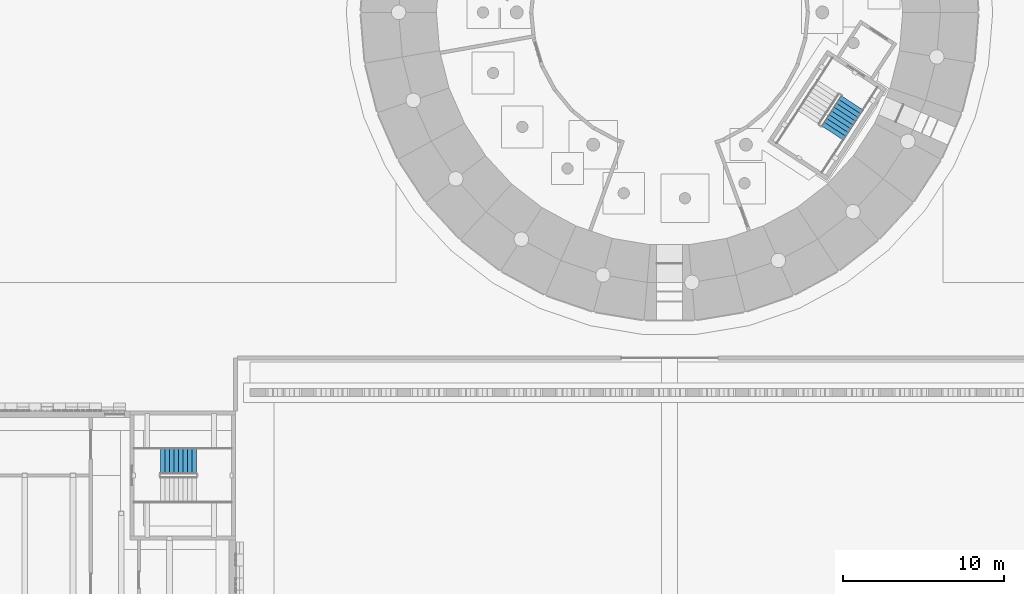
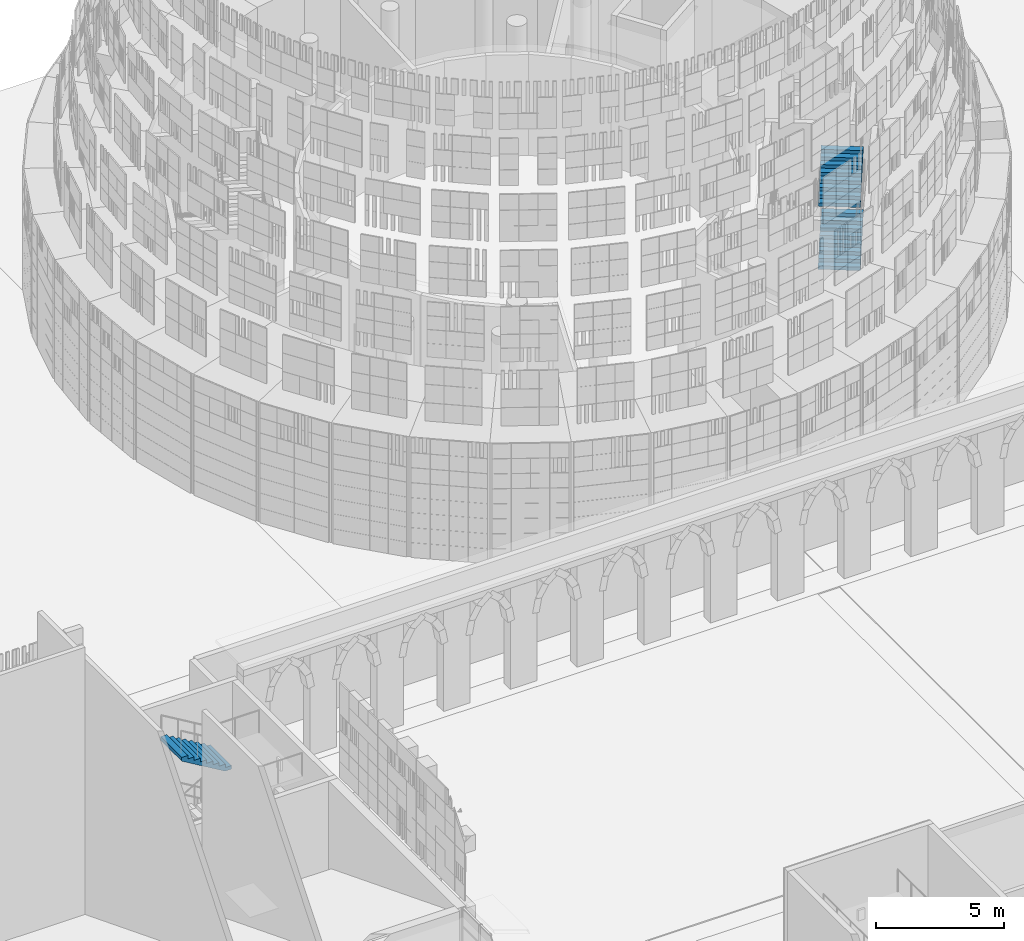
# One storey, part 67 of 125: 3 stair flights, 2 elements without a shape of their own.
"""IFC4 building model written with IfcOpenShell, lengths in metres."""

from ifc_helpers import new_model, si_unit, direction, frame, origin, place, context, subcontext, project, spatial, polyline, outline, extrude, material, type_object, element, aggregate, save


model = new_model("IFC4")

# Units and contexts
model_context = context("Model", 3, precision=1e-05, world=origin(), true_north=direction((0.0, 1.0)))
body_context = subcontext(model_context, "Body", "Model", "MODEL_VIEW")
ifc_project = project(units=[si_unit("LENGTHUNIT", "METRE"), si_unit("AREAUNIT", "SQUARE_METRE"), si_unit("VOLUMEUNIT", "CUBIC_METRE"), si_unit("PLANEANGLEUNIT", "RADIAN"), si_unit("MASSUNIT", "GRAM", prefix="KILO")], contexts=[model_context])

# Site, building, storey
site_placement = place(None, origin())
site = spatial("IfcSite", under=ifc_project, at=site_placement, CompositionType="ELEMENT")
building_placement = place(site_placement, origin())
building = spatial("IfcBuilding", under=site, at=building_placement, Name="Sun Court Science Centre", CompositionType="ELEMENT")
storey_placement = place(building_placement, origin())
storey = spatial("IfcBuildingStorey", under=building, at=storey_placement, Name="L00", CompositionType="ELEMENT", Elevation=0.0)

# Stair, stair flight
ifc_material_1 = material(Name="Concrete C25/30", Category="concrete")
stair_type_1 = type_object("IfcStairType", Name="Stair 1500 enclosed half-turn", PredefinedType="HALF_TURN_STAIR", material=ifc_material_1)
stair_1_placement = place(storey_placement, origin())
stair_1 = element("IfcStair", 1, at=stair_1_placement, inside=storey, type_object=stair_type_1, Name="L00 Stair ST2", PredefinedType="HALF_TURN_STAIR")
ifc_material_2 = material(Name="Concrete C25/30", Category="concrete")
stair_flight_type = type_object("IfcStairFlightType", Name="Stair flight 1500 with waist", PredefinedType="STRAIGHT", material=ifc_material_2)
stair_flight_1_placement = place(storey_placement, frame((21.587890625, 68.89892578125, 4.5), z_axis=(0.0, 0.0, 1.0), x_axis=(-1.0, 0.0, 0.0)))
stair_flight_1 = element("IfcStairFlight", 2, at=stair_flight_1_placement, type_object=stair_flight_type, Name="ST2 flight 4", NumberOfRisers=9, NumberOfTreads=8, PredefinedType="STRAIGHT", RiserHeight=0.166666667, TreadLength=0.28, context=body_context, shape_type="SweptSolid", body=[
    extrude(outline(polyline([(0.0, 0.0), (0.0, 0.00244140625), (0.0, 0.0048828125), (0.0, 0.00732421875), (0.0, 0.009765625), (0.0, 0.01220703125), (0.0, 0.0146484375), (0.0, 0.01708984375), (0.0, 0.01953125), (0.0, 0.02197265625), (0.0, 0.0244140625), (0.0, 0.02685546875), (0.0, 0.029296875), (0.0, 0.03173828125), (0.0, 0.0341796875), (0.0, 0.03662109375), (0.0, 0.0390625), (0.0, 0.04150390625), (0.0, 0.0439453125), (0.0, 0.04638671875), (0.0, 0.048828125), (0.0, 0.05126953125), (0.0, 0.0537109375), (0.0, 0.05615234375), (0.0, 0.05859375), (0.0, 0.06103515625), (0.0, 0.0634765625), (0.0, 0.06591796875), (0.0, 0.068359375), (0.0, 0.07080078125), (0.0, 0.0732421875), (0.0, 0.07568359375), (0.0, 0.078125), (0.0, 0.08056640625), (0.0, 0.0830078125), (0.0, 0.08544921875), (0.0, 0.087890625), (0.0, 0.09033203125), (0.0, 0.0927734375), (0.0, 0.09521484375), (0.0, 0.09765625), (0.0, 0.10009765625), (0.0, 0.1025390625), (0.0, 0.10498046875), (0.0, 0.107421875), (0.0, 0.10986328125), (0.0, 0.1123046875), (0.0, 0.11474609375), (0.0, 0.1171875), (0.0, 0.11962890625), (0.0, 0.1220703125), (0.0, 0.12451171875), (0.0, 0.126953125), (0.0, 0.12939453125), (0.0, 0.1318359375), (0.0, 0.13427734375), (0.0, 0.13671875), (0.0, 0.13916015625), (0.0, 0.1416015625), (0.0, 0.14404296875), (0.0, 0.146484375), (0.0, 0.14892578125), (0.0, 0.1513671875), (0.0, 0.15380859375), (0.0, 0.15625), (0.0, 0.15869140625), (0.0, 0.1611328125), (0.0, 0.16357421875), (0.0, 0.166748046875), (0.280029296875, 0.166748046875), (0.280029296875, 0.333251953125), (0.56005859375, 0.333251953125), (0.56005859375, 0.5), (0.840087890625, 0.5), (0.840087890625, 0.666748046875), (1.1201171875, 0.666748046875), (1.1201171875, 0.833251953125), (1.39990234375, 0.833251953125), (1.39990234375, 1.0), (1.679931640625, 1.0), (1.679931640625, 1.166748046875), (1.9599609375, 1.166748046875), (1.9599609375, 1.333251953125), (2.239990234375, 1.333251953125), (2.239990234375, 1.335693359375), (2.239990234375, 1.338134765625), (2.239990234375, 1.340576171875), (2.239990234375, 1.343017578125), (2.239990234375, 1.345458984375), (2.239990234375, 1.347900390625), (2.239990234375, 1.350341796875), (2.239990234375, 1.352783203125), (2.239990234375, 1.355224609375), (2.239990234375, 1.357666015625), (2.239990234375, 1.360107421875), (2.239990234375, 1.362548828125), (2.239990234375, 1.364990234375), (2.239990234375, 1.367431640625), (2.239990234375, 1.369873046875), (2.239990234375, 1.372314453125), (2.239990234375, 1.374755859375), (2.239990234375, 1.377197265625), (2.239990234375, 1.379638671875), (2.239990234375, 1.382080078125), (2.239990234375, 1.384521484375), (2.239990234375, 1.386962890625), (2.239990234375, 1.389404296875), (2.239990234375, 1.391845703125), (2.239990234375, 1.394287109375), (2.239990234375, 1.396728515625), (2.239990234375, 1.399169921875), (2.239990234375, 1.401611328125), (2.239990234375, 1.404052734375), (2.239990234375, 1.406494140625), (2.239990234375, 1.408935546875), (2.239990234375, 1.411376953125), (2.239990234375, 1.413818359375), (2.239990234375, 1.416259765625), (2.239990234375, 1.418701171875), (2.239990234375, 1.421142578125), (2.239990234375, 1.423583984375), (2.239990234375, 1.426025390625), (2.239990234375, 1.428466796875), (2.239990234375, 1.430908203125), (2.239990234375, 1.433349609375), (2.239990234375, 1.435791015625), (2.239990234375, 1.438232421875), (2.239990234375, 1.440673828125), (2.239990234375, 1.443115234375), (2.239990234375, 1.445556640625), (2.239990234375, 1.447998046875), (2.239990234375, 1.450439453125), (2.239990234375, 1.452880859375), (2.239990234375, 1.455322265625), (2.239990234375, 1.457763671875), (2.239990234375, 1.460205078125), (2.239990234375, 1.462646484375), (2.239990234375, 1.465087890625), (2.239990234375, 1.467529296875), (2.239990234375, 1.469970703125), (2.239990234375, 1.472412109375), (2.239990234375, 1.474853515625), (2.239990234375, 1.477294921875), (2.239990234375, 1.479736328125), (2.239990234375, 1.482177734375), (2.239990234375, 1.484619140625), (2.239990234375, 1.487060546875), (2.239990234375, 1.489501953125), (2.239990234375, 1.491943359375), (2.239990234375, 1.494384765625), (2.239990234375, 1.496826171875), (2.239990234375, 1.5), (2.239990234375, 1.49755859375), (2.239990234375, 1.4951171875), (2.239990234375, 1.49267578125), (2.239990234375, 1.490234375), (2.239990234375, 1.48779296875), (2.239990234375, 1.4853515625), (2.239990234375, 1.48291015625), (2.239990234375, 1.48046875), (2.239990234375, 1.47802734375), (2.239990234375, 1.4755859375), (2.239990234375, 1.47314453125), (2.239990234375, 1.470703125), (2.239990234375, 1.46826171875), (2.239990234375, 1.4658203125), (2.239990234375, 1.46337890625), (2.239990234375, 1.4609375), (2.239990234375, 1.45849609375), (2.239990234375, 1.4560546875), (2.239990234375, 1.45361328125), (2.239990234375, 1.451171875), (2.239990234375, 1.44873046875), (2.239990234375, 1.4462890625), (2.239990234375, 1.44384765625), (2.239990234375, 1.44140625), (2.239990234375, 1.43896484375), (2.239990234375, 1.4365234375), (2.239990234375, 1.43408203125), (2.239990234375, 1.431640625), (2.239990234375, 1.42919921875), (2.239990234375, 1.4267578125), (2.239990234375, 1.42431640625), (2.239990234375, 1.421875), (2.239990234375, 1.41943359375), (2.239990234375, 1.4169921875), (2.239990234375, 1.41455078125), (2.239990234375, 1.412109375), (2.239990234375, 1.40966796875), (2.239990234375, 1.4072265625), (2.239990234375, 1.40478515625), (2.239990234375, 1.40234375), (2.239990234375, 1.39990234375), (2.239990234375, 1.3974609375), (2.239990234375, 1.39501953125), (2.239990234375, 1.392578125), (2.239990234375, 1.39013671875), (2.239990234375, 1.3876953125), (2.239990234375, 1.38525390625), (2.239990234375, 1.3828125), (2.239990234375, 1.38037109375), (2.239990234375, 1.3779296875), (2.239990234375, 1.37548828125), (2.239990234375, 1.373046875), (2.239990234375, 1.37060546875), (2.239990234375, 1.3681640625), (2.239990234375, 1.36572265625), (2.239990234375, 1.36328125), (2.239990234375, 1.36083984375), (2.239990234375, 1.3583984375), (2.239990234375, 1.35595703125), (2.239990234375, 1.353515625), (2.239990234375, 1.35107421875), (2.239990234375, 1.3486328125), (2.239990234375, 1.34619140625), (2.239990234375, 1.34375), (2.239990234375, 1.34130859375), (2.239990234375, 1.3388671875), (2.239990234375, 1.33642578125), (2.239990234375, 1.333984375), (2.239990234375, 1.33154296875), (2.239990234375, 1.3291015625), (2.239990234375, 1.32666015625), (2.239990234375, 1.32421875), (2.239990234375, 1.32177734375), (2.239990234375, 1.3193359375), (2.239990234375, 1.31689453125), (2.239990234375, 1.314453125), (2.239990234375, 1.31201171875), (2.239990234375, 1.3095703125), (2.239990234375, 1.30712890625), (2.239990234375, 1.3046875), (2.239990234375, 1.30224609375), (2.239990234375, 1.2998046875), (2.239990234375, 1.29736328125), (2.239990234375, 1.294921875), (2.239990234375, 1.29248046875), (2.239990234375, 1.2900390625), (2.239990234375, 1.28759765625), (2.239990234375, 1.28515625), (2.239990234375, 1.28271484375), (2.239990234375, 1.2802734375), (2.239990234375, 1.27783203125), (2.239990234375, 1.275390625), (2.239990234375, 1.27294921875), (2.239990234375, 1.2705078125), (2.239990234375, 1.26806640625), (2.239990234375, 1.265625), (2.239990234375, 1.26318359375), (2.239990234375, 1.2607421875), (2.239990234375, 1.25830078125), (2.239990234375, 1.255859375), (2.239990234375, 1.25341796875), (2.239990234375, 1.2509765625), (2.239990234375, 1.24853515625), (2.239990234375, 1.24609375), (2.239990234375, 1.24365234375), (2.239990234375, 1.2412109375), (2.239990234375, 1.23876953125), (2.239990234375, 1.236328125), (2.239990234375, 1.23388671875), (2.239990234375, 1.2314453125), (2.239990234375, 1.22900390625), (2.239990234375, 1.2265625), (2.239990234375, 1.22412109375), (2.239990234375, 1.2216796875), (2.239990234375, 1.21923828125), (2.239990234375, 1.216796875), (2.239990234375, 1.21435546875), (2.239990234375, 1.2119140625), (2.239990234375, 1.20947265625), (2.239990234375, 1.20703125), (2.239990234375, 1.20458984375), (2.239990234375, 1.2021484375), (2.239990234375, 1.19970703125), (2.239990234375, 1.197265625), (2.239990234375, 1.19482421875), (2.239990234375, 1.1923828125), (2.239990234375, 1.18994140625), (2.239990234375, 1.1875), (2.239990234375, 1.18505859375), (2.239990234375, 1.1826171875), (2.239990234375, 1.18017578125), (2.239990234375, 1.177734375), (2.239990234375, 1.17529296875), (2.239990234375, 1.1728515625), (2.239990234375, 1.17041015625), (2.239990234375, 1.16796875), (2.239990234375, 1.16552734375), (2.239990234375, 1.1630859375), (2.239990234375, 1.158935546875), (0.29296875, 0.0), (0.0, 0.0)])), frame((0.0, 0.823974609375, 0.0), z_axis=(0.0, -1.0, 0.0), x_axis=(1.0, 0.0, 0.0)), (0.0, 0.0, 1.0), 1.64794921875),
])
aggregate(stair_1, [stair_flight_1])

# Stair, stair flights
ifc_material_3 = material(Name="Concrete C25/30", Category="concrete")
stair_type_2 = type_object("IfcStairType", Name="Stair 1500 drum half-turn", PredefinedType="HALF_TURN_STAIR", material=ifc_material_3)
stair_2_placement = place(storey_placement, origin())
stair_2 = element("IfcStair", 3, at=stair_2_placement, inside=storey, type_object=stair_type_2, Name="L00 Stair PS1", PredefinedType="HALF_TURN_STAIR")
stair_flight_2_placement = place(storey_placement, frame((61.143798828125, 89.291259765625, 1.5), z_axis=(0.0, 0.0, 1.0), x_axis=(0.546948161968, 0.83716647575, 0.0)))
stair_flight_2 = element("IfcStairFlight", 4, at=stair_flight_2_placement, type_object=stair_flight_type, Name="PS1 flight 2", NumberOfRisers=9, NumberOfTreads=8, PredefinedType="STRAIGHT", RiserHeight=0.166666667, TreadLength=0.28, context=body_context, shape_type="SweptSolid", body=[
    extrude(outline(polyline([(0.0, 0.0), (0.0, 0.00244140625), (0.0, 0.0048828125), (0.0, 0.00732421875), (0.0, 0.009765625), (0.0, 0.01220703125), (0.0, 0.0146484375), (0.0, 0.01708984375), (0.0, 0.01953125), (0.0, 0.02197265625), (0.0, 0.0244140625), (0.0, 0.02685546875), (0.0, 0.029296875), (0.0, 0.03173828125), (0.0, 0.0341796875), (0.0, 0.03662109375), (0.0, 0.0390625), (0.0, 0.04150390625), (0.0, 0.0439453125), (0.0, 0.04638671875), (0.0, 0.048828125), (0.0, 0.05126953125), (0.0, 0.0537109375), (0.0, 0.05615234375), (0.0, 0.05859375), (0.0, 0.06103515625), (0.0, 0.0634765625), (0.0, 0.06591796875), (0.0, 0.068359375), (0.0, 0.07080078125), (0.0, 0.0732421875), (0.0, 0.07568359375), (0.0, 0.078125), (0.0, 0.08056640625), (0.0, 0.0830078125), (0.0, 0.08544921875), (0.0, 0.087890625), (0.0, 0.09033203125), (0.0, 0.0927734375), (0.0, 0.09521484375), (0.0, 0.09765625), (0.0, 0.10009765625), (0.0, 0.1025390625), (0.0, 0.10498046875), (0.0, 0.107421875), (0.0, 0.10986328125), (0.0, 0.1123046875), (0.0, 0.11474609375), (0.0, 0.1171875), (0.0, 0.11962890625), (0.0, 0.1220703125), (0.0, 0.12451171875), (0.0, 0.126953125), (0.0, 0.12939453125), (0.0, 0.1318359375), (0.0, 0.13427734375), (0.0, 0.13671875), (0.0, 0.13916015625), (0.0, 0.1416015625), (0.0, 0.14404296875), (0.0, 0.146484375), (0.0, 0.14892578125), (0.0, 0.1513671875), (0.0, 0.15380859375), (0.0, 0.15625), (0.0, 0.15869140625), (0.0, 0.1611328125), (0.0, 0.16357421875), (0.0, 0.166748046875), (0.280029296875, 0.166748046875), (0.280029296875, 0.333251953125), (0.56005859375, 0.333251953125), (0.56005859375, 0.5), (0.840087890625, 0.5), (0.840087890625, 0.666748046875), (1.1201171875, 0.666748046875), (1.1201171875, 0.833251953125), (1.39990234375, 0.833251953125), (1.39990234375, 1.0), (1.679931640625, 1.0), (1.679931640625, 1.166748046875), (1.9599609375, 1.166748046875), (1.9599609375, 1.333251953125), (2.239990234375, 1.333251953125), (2.239990234375, 1.335693359375), (2.239990234375, 1.338134765625), (2.239990234375, 1.340576171875), (2.239990234375, 1.343017578125), (2.239990234375, 1.345458984375), (2.239990234375, 1.347900390625), (2.239990234375, 1.350341796875), (2.239990234375, 1.352783203125), (2.239990234375, 1.355224609375), (2.239990234375, 1.357666015625), (2.239990234375, 1.360107421875), (2.239990234375, 1.362548828125), (2.239990234375, 1.364990234375), (2.239990234375, 1.367431640625), (2.239990234375, 1.369873046875), (2.239990234375, 1.372314453125), (2.239990234375, 1.374755859375), (2.239990234375, 1.377197265625), (2.239990234375, 1.379638671875), (2.239990234375, 1.382080078125), (2.239990234375, 1.384521484375), (2.239990234375, 1.386962890625), (2.239990234375, 1.389404296875), (2.239990234375, 1.391845703125), (2.239990234375, 1.394287109375), (2.239990234375, 1.396728515625), (2.239990234375, 1.399169921875), (2.239990234375, 1.401611328125), (2.239990234375, 1.404052734375), (2.239990234375, 1.406494140625), (2.239990234375, 1.408935546875), (2.239990234375, 1.411376953125), (2.239990234375, 1.413818359375), (2.239990234375, 1.416259765625), (2.239990234375, 1.418701171875), (2.239990234375, 1.421142578125), (2.239990234375, 1.423583984375), (2.239990234375, 1.426025390625), (2.239990234375, 1.428466796875), (2.239990234375, 1.430908203125), (2.239990234375, 1.433349609375), (2.239990234375, 1.435791015625), (2.239990234375, 1.438232421875), (2.239990234375, 1.440673828125), (2.239990234375, 1.443115234375), (2.239990234375, 1.445556640625), (2.239990234375, 1.447998046875), (2.239990234375, 1.450439453125), (2.239990234375, 1.452880859375), (2.239990234375, 1.455322265625), (2.239990234375, 1.457763671875), (2.239990234375, 1.460205078125), (2.239990234375, 1.462646484375), (2.239990234375, 1.465087890625), (2.239990234375, 1.467529296875), (2.239990234375, 1.469970703125), (2.239990234375, 1.472412109375), (2.239990234375, 1.474853515625), (2.239990234375, 1.477294921875), (2.239990234375, 1.479736328125), (2.239990234375, 1.482177734375), (2.239990234375, 1.484619140625), (2.239990234375, 1.487060546875), (2.239990234375, 1.489501953125), (2.239990234375, 1.491943359375), (2.239990234375, 1.494384765625), (2.239990234375, 1.496826171875), (2.239990234375, 1.5), (2.239990234375, 1.49755859375), (2.239990234375, 1.4951171875), (2.239990234375, 1.49267578125), (2.239990234375, 1.490234375), (2.239990234375, 1.48779296875), (2.239990234375, 1.4853515625), (2.239990234375, 1.48291015625), (2.239990234375, 1.48046875), (2.239990234375, 1.47802734375), (2.239990234375, 1.4755859375), (2.239990234375, 1.47314453125), (2.239990234375, 1.470703125), (2.239990234375, 1.46826171875), (2.239990234375, 1.4658203125), (2.239990234375, 1.46337890625), (2.239990234375, 1.4609375), (2.239990234375, 1.45849609375), (2.239990234375, 1.4560546875), (2.239990234375, 1.45361328125), (2.239990234375, 1.451171875), (2.239990234375, 1.44873046875), (2.239990234375, 1.4462890625), (2.239990234375, 1.44384765625), (2.239990234375, 1.44140625), (2.239990234375, 1.43896484375), (2.239990234375, 1.4365234375), (2.239990234375, 1.43408203125), (2.239990234375, 1.431640625), (2.239990234375, 1.42919921875), (2.239990234375, 1.4267578125), (2.239990234375, 1.42431640625), (2.239990234375, 1.421875), (2.239990234375, 1.41943359375), (2.239990234375, 1.4169921875), (2.239990234375, 1.41455078125), (2.239990234375, 1.412109375), (2.239990234375, 1.40966796875), (2.239990234375, 1.4072265625), (2.239990234375, 1.40478515625), (2.239990234375, 1.40234375), (2.239990234375, 1.39990234375), (2.239990234375, 1.3974609375), (2.239990234375, 1.39501953125), (2.239990234375, 1.392578125), (2.239990234375, 1.39013671875), (2.239990234375, 1.3876953125), (2.239990234375, 1.38525390625), (2.239990234375, 1.3828125), (2.239990234375, 1.38037109375), (2.239990234375, 1.3779296875), (2.239990234375, 1.37548828125), (2.239990234375, 1.373046875), (2.239990234375, 1.37060546875), (2.239990234375, 1.3681640625), (2.239990234375, 1.36572265625), (2.239990234375, 1.36328125), (2.239990234375, 1.36083984375), (2.239990234375, 1.3583984375), (2.239990234375, 1.35595703125), (2.239990234375, 1.353515625), (2.239990234375, 1.35107421875), (2.239990234375, 1.3486328125), (2.239990234375, 1.34619140625), (2.239990234375, 1.34375), (2.239990234375, 1.34130859375), (2.239990234375, 1.3388671875), (2.239990234375, 1.33642578125), (2.239990234375, 1.333984375), (2.239990234375, 1.33154296875), (2.239990234375, 1.3291015625), (2.239990234375, 1.32666015625), (2.239990234375, 1.32421875), (2.239990234375, 1.32177734375), (2.239990234375, 1.3193359375), (2.239990234375, 1.31689453125), (2.239990234375, 1.314453125), (2.239990234375, 1.31201171875), (2.239990234375, 1.3095703125), (2.239990234375, 1.30712890625), (2.239990234375, 1.3046875), (2.239990234375, 1.30224609375), (2.239990234375, 1.2998046875), (2.239990234375, 1.29736328125), (2.239990234375, 1.294921875), (2.239990234375, 1.29248046875), (2.239990234375, 1.2900390625), (2.239990234375, 1.28759765625), (2.239990234375, 1.28515625), (2.239990234375, 1.28271484375), (2.239990234375, 1.2802734375), (2.239990234375, 1.27783203125), (2.239990234375, 1.275390625), (2.239990234375, 1.27294921875), (2.239990234375, 1.2705078125), (2.239990234375, 1.26806640625), (2.239990234375, 1.265625), (2.239990234375, 1.26318359375), (2.239990234375, 1.2607421875), (2.239990234375, 1.25830078125), (2.239990234375, 1.255859375), (2.239990234375, 1.25341796875), (2.239990234375, 1.2509765625), (2.239990234375, 1.24853515625), (2.239990234375, 1.24609375), (2.239990234375, 1.24365234375), (2.239990234375, 1.2412109375), (2.239990234375, 1.23876953125), (2.239990234375, 1.236328125), (2.239990234375, 1.23388671875), (2.239990234375, 1.2314453125), (2.239990234375, 1.22900390625), (2.239990234375, 1.2265625), (2.239990234375, 1.22412109375), (2.239990234375, 1.2216796875), (2.239990234375, 1.21923828125), (2.239990234375, 1.216796875), (2.239990234375, 1.21435546875), (2.239990234375, 1.2119140625), (2.239990234375, 1.20947265625), (2.239990234375, 1.20703125), (2.239990234375, 1.20458984375), (2.239990234375, 1.2021484375), (2.239990234375, 1.19970703125), (2.239990234375, 1.197265625), (2.239990234375, 1.19482421875), (2.239990234375, 1.1923828125), (2.239990234375, 1.18994140625), (2.239990234375, 1.1875), (2.239990234375, 1.18505859375), (2.239990234375, 1.1826171875), (2.239990234375, 1.18017578125), (2.239990234375, 1.177734375), (2.239990234375, 1.17529296875), (2.239990234375, 1.1728515625), (2.239990234375, 1.17041015625), (2.239990234375, 1.16796875), (2.239990234375, 1.16552734375), (2.239990234375, 1.1630859375), (2.239990234375, 1.158935546875), (0.29296875, 0.0), (0.0, 0.0)])), frame((0.0, 0.823974609375, 0.0), z_axis=(0.0, -1.0, 0.0), x_axis=(1.0, 0.0, 0.0)), (0.0, 0.0, 1.0), 1.64794921875),
])
stair_flight_3_placement = place(storey_placement, frame((61.143798828125, 89.291259765625, 4.5), z_axis=(0.0, 0.0, 1.0), x_axis=(0.546948161968, 0.83716647575, 0.0)))
stair_flight_3 = element("IfcStairFlight", 5, at=stair_flight_3_placement, type_object=stair_flight_type, Name="PS1 flight 4", NumberOfRisers=9, NumberOfTreads=8, PredefinedType="STRAIGHT", RiserHeight=0.166666667, TreadLength=0.28, context=body_context, shape_type="SweptSolid", body=[
    extrude(outline(polyline([(0.0, 0.0), (0.0, 0.00244140625), (0.0, 0.0048828125), (0.0, 0.00732421875), (0.0, 0.009765625), (0.0, 0.01220703125), (0.0, 0.0146484375), (0.0, 0.01708984375), (0.0, 0.01953125), (0.0, 0.02197265625), (0.0, 0.0244140625), (0.0, 0.02685546875), (0.0, 0.029296875), (0.0, 0.03173828125), (0.0, 0.0341796875), (0.0, 0.03662109375), (0.0, 0.0390625), (0.0, 0.04150390625), (0.0, 0.0439453125), (0.0, 0.04638671875), (0.0, 0.048828125), (0.0, 0.05126953125), (0.0, 0.0537109375), (0.0, 0.05615234375), (0.0, 0.05859375), (0.0, 0.06103515625), (0.0, 0.0634765625), (0.0, 0.06591796875), (0.0, 0.068359375), (0.0, 0.07080078125), (0.0, 0.0732421875), (0.0, 0.07568359375), (0.0, 0.078125), (0.0, 0.08056640625), (0.0, 0.0830078125), (0.0, 0.08544921875), (0.0, 0.087890625), (0.0, 0.09033203125), (0.0, 0.0927734375), (0.0, 0.09521484375), (0.0, 0.09765625), (0.0, 0.10009765625), (0.0, 0.1025390625), (0.0, 0.10498046875), (0.0, 0.107421875), (0.0, 0.10986328125), (0.0, 0.1123046875), (0.0, 0.11474609375), (0.0, 0.1171875), (0.0, 0.11962890625), (0.0, 0.1220703125), (0.0, 0.12451171875), (0.0, 0.126953125), (0.0, 0.12939453125), (0.0, 0.1318359375), (0.0, 0.13427734375), (0.0, 0.13671875), (0.0, 0.13916015625), (0.0, 0.1416015625), (0.0, 0.14404296875), (0.0, 0.146484375), (0.0, 0.14892578125), (0.0, 0.1513671875), (0.0, 0.15380859375), (0.0, 0.15625), (0.0, 0.15869140625), (0.0, 0.1611328125), (0.0, 0.16357421875), (0.0, 0.166748046875), (0.280029296875, 0.166748046875), (0.280029296875, 0.333251953125), (0.56005859375, 0.333251953125), (0.56005859375, 0.5), (0.840087890625, 0.5), (0.840087890625, 0.666748046875), (1.1201171875, 0.666748046875), (1.1201171875, 0.833251953125), (1.39990234375, 0.833251953125), (1.39990234375, 1.0), (1.679931640625, 1.0), (1.679931640625, 1.166748046875), (1.9599609375, 1.166748046875), (1.9599609375, 1.333251953125), (2.239990234375, 1.333251953125), (2.239990234375, 1.335693359375), (2.239990234375, 1.338134765625), (2.239990234375, 1.340576171875), (2.239990234375, 1.343017578125), (2.239990234375, 1.345458984375), (2.239990234375, 1.347900390625), (2.239990234375, 1.350341796875), (2.239990234375, 1.352783203125), (2.239990234375, 1.355224609375), (2.239990234375, 1.357666015625), (2.239990234375, 1.360107421875), (2.239990234375, 1.362548828125), (2.239990234375, 1.364990234375), (2.239990234375, 1.367431640625), (2.239990234375, 1.369873046875), (2.239990234375, 1.372314453125), (2.239990234375, 1.374755859375), (2.239990234375, 1.377197265625), (2.239990234375, 1.379638671875), (2.239990234375, 1.382080078125), (2.239990234375, 1.384521484375), (2.239990234375, 1.386962890625), (2.239990234375, 1.389404296875), (2.239990234375, 1.391845703125), (2.239990234375, 1.394287109375), (2.239990234375, 1.396728515625), (2.239990234375, 1.399169921875), (2.239990234375, 1.401611328125), (2.239990234375, 1.404052734375), (2.239990234375, 1.406494140625), (2.239990234375, 1.408935546875), (2.239990234375, 1.411376953125), (2.239990234375, 1.413818359375), (2.239990234375, 1.416259765625), (2.239990234375, 1.418701171875), (2.239990234375, 1.421142578125), (2.239990234375, 1.423583984375), (2.239990234375, 1.426025390625), (2.239990234375, 1.428466796875), (2.239990234375, 1.430908203125), (2.239990234375, 1.433349609375), (2.239990234375, 1.435791015625), (2.239990234375, 1.438232421875), (2.239990234375, 1.440673828125), (2.239990234375, 1.443115234375), (2.239990234375, 1.445556640625), (2.239990234375, 1.447998046875), (2.239990234375, 1.450439453125), (2.239990234375, 1.452880859375), (2.239990234375, 1.455322265625), (2.239990234375, 1.457763671875), (2.239990234375, 1.460205078125), (2.239990234375, 1.462646484375), (2.239990234375, 1.465087890625), (2.239990234375, 1.467529296875), (2.239990234375, 1.469970703125), (2.239990234375, 1.472412109375), (2.239990234375, 1.474853515625), (2.239990234375, 1.477294921875), (2.239990234375, 1.479736328125), (2.239990234375, 1.482177734375), (2.239990234375, 1.484619140625), (2.239990234375, 1.487060546875), (2.239990234375, 1.489501953125), (2.239990234375, 1.491943359375), (2.239990234375, 1.494384765625), (2.239990234375, 1.496826171875), (2.239990234375, 1.5), (2.239990234375, 1.49755859375), (2.239990234375, 1.4951171875), (2.239990234375, 1.49267578125), (2.239990234375, 1.490234375), (2.239990234375, 1.48779296875), (2.239990234375, 1.4853515625), (2.239990234375, 1.48291015625), (2.239990234375, 1.48046875), (2.239990234375, 1.47802734375), (2.239990234375, 1.4755859375), (2.239990234375, 1.47314453125), (2.239990234375, 1.470703125), (2.239990234375, 1.46826171875), (2.239990234375, 1.4658203125), (2.239990234375, 1.46337890625), (2.239990234375, 1.4609375), (2.239990234375, 1.45849609375), (2.239990234375, 1.4560546875), (2.239990234375, 1.45361328125), (2.239990234375, 1.451171875), (2.239990234375, 1.44873046875), (2.239990234375, 1.4462890625), (2.239990234375, 1.44384765625), (2.239990234375, 1.44140625), (2.239990234375, 1.43896484375), (2.239990234375, 1.4365234375), (2.239990234375, 1.43408203125), (2.239990234375, 1.431640625), (2.239990234375, 1.42919921875), (2.239990234375, 1.4267578125), (2.239990234375, 1.42431640625), (2.239990234375, 1.421875), (2.239990234375, 1.41943359375), (2.239990234375, 1.4169921875), (2.239990234375, 1.41455078125), (2.239990234375, 1.412109375), (2.239990234375, 1.40966796875), (2.239990234375, 1.4072265625), (2.239990234375, 1.40478515625), (2.239990234375, 1.40234375), (2.239990234375, 1.39990234375), (2.239990234375, 1.3974609375), (2.239990234375, 1.39501953125), (2.239990234375, 1.392578125), (2.239990234375, 1.39013671875), (2.239990234375, 1.3876953125), (2.239990234375, 1.38525390625), (2.239990234375, 1.3828125), (2.239990234375, 1.38037109375), (2.239990234375, 1.3779296875), (2.239990234375, 1.37548828125), (2.239990234375, 1.373046875), (2.239990234375, 1.37060546875), (2.239990234375, 1.3681640625), (2.239990234375, 1.36572265625), (2.239990234375, 1.36328125), (2.239990234375, 1.36083984375), (2.239990234375, 1.3583984375), (2.239990234375, 1.35595703125), (2.239990234375, 1.353515625), (2.239990234375, 1.35107421875), (2.239990234375, 1.3486328125), (2.239990234375, 1.34619140625), (2.239990234375, 1.34375), (2.239990234375, 1.34130859375), (2.239990234375, 1.3388671875), (2.239990234375, 1.33642578125), (2.239990234375, 1.333984375), (2.239990234375, 1.33154296875), (2.239990234375, 1.3291015625), (2.239990234375, 1.32666015625), (2.239990234375, 1.32421875), (2.239990234375, 1.32177734375), (2.239990234375, 1.3193359375), (2.239990234375, 1.31689453125), (2.239990234375, 1.314453125), (2.239990234375, 1.31201171875), (2.239990234375, 1.3095703125), (2.239990234375, 1.30712890625), (2.239990234375, 1.3046875), (2.239990234375, 1.30224609375), (2.239990234375, 1.2998046875), (2.239990234375, 1.29736328125), (2.239990234375, 1.294921875), (2.239990234375, 1.29248046875), (2.239990234375, 1.2900390625), (2.239990234375, 1.28759765625), (2.239990234375, 1.28515625), (2.239990234375, 1.28271484375), (2.239990234375, 1.2802734375), (2.239990234375, 1.27783203125), (2.239990234375, 1.275390625), (2.239990234375, 1.27294921875), (2.239990234375, 1.2705078125), (2.239990234375, 1.26806640625), (2.239990234375, 1.265625), (2.239990234375, 1.26318359375), (2.239990234375, 1.2607421875), (2.239990234375, 1.25830078125), (2.239990234375, 1.255859375), (2.239990234375, 1.25341796875), (2.239990234375, 1.2509765625), (2.239990234375, 1.24853515625), (2.239990234375, 1.24609375), (2.239990234375, 1.24365234375), (2.239990234375, 1.2412109375), (2.239990234375, 1.23876953125), (2.239990234375, 1.236328125), (2.239990234375, 1.23388671875), (2.239990234375, 1.2314453125), (2.239990234375, 1.22900390625), (2.239990234375, 1.2265625), (2.239990234375, 1.22412109375), (2.239990234375, 1.2216796875), (2.239990234375, 1.21923828125), (2.239990234375, 1.216796875), (2.239990234375, 1.21435546875), (2.239990234375, 1.2119140625), (2.239990234375, 1.20947265625), (2.239990234375, 1.20703125), (2.239990234375, 1.20458984375), (2.239990234375, 1.2021484375), (2.239990234375, 1.19970703125), (2.239990234375, 1.197265625), (2.239990234375, 1.19482421875), (2.239990234375, 1.1923828125), (2.239990234375, 1.18994140625), (2.239990234375, 1.1875), (2.239990234375, 1.18505859375), (2.239990234375, 1.1826171875), (2.239990234375, 1.18017578125), (2.239990234375, 1.177734375), (2.239990234375, 1.17529296875), (2.239990234375, 1.1728515625), (2.239990234375, 1.17041015625), (2.239990234375, 1.16796875), (2.239990234375, 1.16552734375), (2.239990234375, 1.1630859375), (2.239990234375, 1.158935546875), (0.29296875, 0.0), (0.0, 0.0)])), frame((0.0, 0.823974609375, 0.0), z_axis=(0.0, -1.0, 0.0), x_axis=(1.0, 0.0, 0.0)), (0.0, 0.0, 1.0), 1.64794921875),
])
aggregate(stair_2, [stair_flight_2, stair_flight_3])

save(model, "model.ifc")
